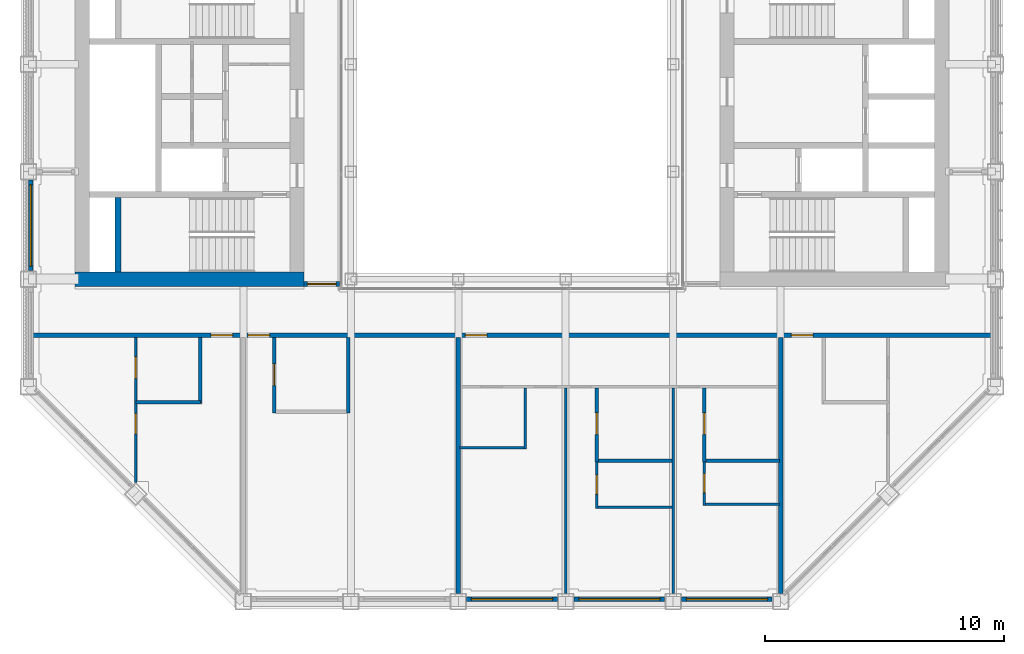
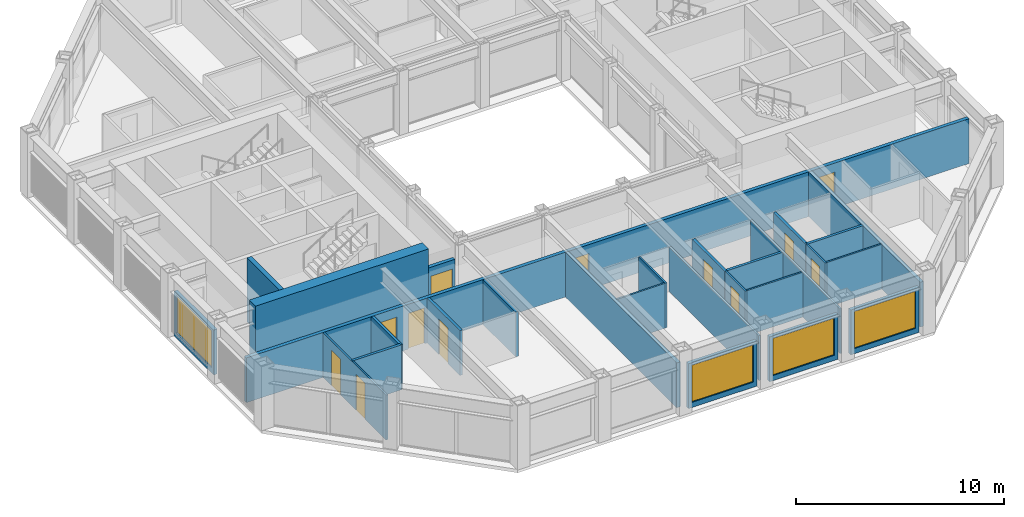
# One storey, part 9 of 17: 27 walls, 12 doors, 4 windows, 16 openings.
"""IFC4 building model written with IfcOpenShell, lengths in metres."""

from ifc_helpers import new_model, si_unit, direction, frame, frame_2d, origin, place, context, subcontext, project, spatial, rectangle, extrude, material, layer, layer_set, type_object, element, fill, save


model = new_model("IFC4")

# Units and contexts
model_context = context("Model", 3, precision=1e-05, world=origin(), true_north=direction((0.0, 1.0)))
body_context = subcontext(model_context, "Body", "Model", "MODEL_VIEW")
ifc_project = project(units=[si_unit("LENGTHUNIT", "METRE"), si_unit("AREAUNIT", "SQUARE_METRE"), si_unit("VOLUMEUNIT", "CUBIC_METRE"), si_unit("PLANEANGLEUNIT", "RADIAN"), si_unit("MASSUNIT", "GRAM", prefix="KILO")], contexts=[model_context])

# Site, building, storey
site_placement = place(None, origin())
site = spatial("IfcSite", under=ifc_project, at=site_placement, CompositionType="ELEMENT")
building_placement = place(site_placement, origin())
building = spatial("IfcBuilding", under=site, at=building_placement, Name="Msasa Ring Tower", CompositionType="ELEMENT")
storey_placement = place(building_placement, frame((0.0, 0.0, 242.050048828125)))
storey = spatial("IfcBuildingStorey", under=building, at=storey_placement, Name="L63", CompositionType="ELEMENT", Elevation=242.050048828125)

# Walls
ifc_material_1 = material(Name="Concrete C60/75", Category="concrete")
ifc_layer_1 = layer(ifc_material_1, 0.60009765625)
ifc_layer_set_1 = layer_set([ifc_layer_1], Name="CW3 CORE WALL 600")
wall_type_1 = type_object("IfcWallType", Name="CW3 CORE WALL 600", PredefinedType="SHEAR", material=ifc_layer_set_1)
wall_1_placement = place(storey_placement, frame((-8.699951171875, -6.75, 0.0), z_axis=(0.0, 0.0, 1.0), x_axis=(-1.0, 0.0, 0.0)))
element("IfcWall", 1, at=wall_1_placement, inside=storey, type_object=wall_type_1, Name="W core wall S L63", PredefinedType="SHEAR", context=body_context, shape_type="SweptSolid", body=[
    extrude(rectangle(XDim=9.60009765625, YDim=0.60009765625, at=frame_2d((4.800048828125, 0.0))), origin(), (0.0, 0.0, 1.0), 3.75),
])
ifc_material_2 = material(Name="Concrete C60/75", Category="concrete")
ifc_layer_2 = layer(ifc_material_2, 0.25)
ifc_layer_set_2 = layer_set([ifc_layer_2], Name="CW4 CORE INNER WALL 250")
wall_type_2 = type_object("IfcWallType", Name="CW4 CORE INNER WALL 250", PredefinedType="SHEAR", material=ifc_layer_set_2)
wall_2_placement = place(storey_placement, frame((-16.5, -6.449951171875, 0.0), z_axis=(0.0, 0.0, 1.0), x_axis=(0.0, 1.0, 0.0)))
element("IfcWall", 2, at=wall_2_placement, inside=storey, type_object=wall_type_2, Name="W core wall RISERA L63", PredefinedType="SHEAR", context=body_context, shape_type="SweptSolid", body=[
    extrude(rectangle(XDim=3.125, YDim=0.25, at=frame_2d((1.5625, 0.0))), origin(), (0.0, 0.0, 1.0), 3.75),
])

# Wall, opening, window
ifc_material_3 = material(Name="Terracotta rainscreen on blockwork", Category="masonry")
ifc_layer_3 = layer(ifc_material_3, 0.199951171875)
ifc_layer_set_3 = layer_set([ifc_layer_3], Name="FW1 TERRACOTTA-LINED INFILL BAY WALL 200")
wall_type_3 = type_object("IfcWallType", Name="FW1 TERRACOTTA-LINED INFILL BAY WALL 200", PredefinedType="SOLIDWALL", material=ifc_layer_set_3)
wall_3_placement = place(storey_placement, frame((-1.89501953125, -20.14990234375, 0.0), z_axis=(0.0, 0.0, 1.0), x_axis=(1.0, 0.0, 0.0)))
wall_3 = element("IfcWall", 3, at=wall_3_placement, inside=storey, type_object=wall_type_3, Name="Infill bay wall S L63 02", PredefinedType="SOLIDWALL", context=body_context, shape_type="SweptSolid", body=[
    extrude(rectangle(XDim=3.7900390625, YDim=0.199951171875, at=frame_2d((1.89501953125, 0.0))), origin(), (0.0, 0.0, 1.0), 2.62890625),
])
opening_1_placement = place(wall_3_placement, frame((0.195068359375, 0.0, 0.300048828125)))
opening_1 = element("IfcOpeningElement", 4, at=opening_1_placement, cuts=wall_3, Name="Opening WN3", PredefinedType="OPENING", context=body_context, shape_type="SweptSolid", body=[
    extrude(rectangle(XDim=3.39990234375, YDim=2.178955078125, at=frame_2d((1.699951171875, 1.08935546875))), frame((0.0, 0.10986328125, 0.0), z_axis=(0.0, -1.0, 0.0), x_axis=(1.0, 0.0, 0.0)), (0.0, 0.0, 1.0), 0.219970703125),
])
ifc_material_4 = material(Name="Aluminium frame with clear glass", Category="aluminium")
window_type = type_object("IfcWindowType", Name="WN3 SUITE WINDOW 3400x2179", PartitioningType="SINGLE_PANEL", PredefinedType="WINDOW", material=ifc_material_4)
window_1_placement = place(opening_1_placement, origin())
window_1 = element("IfcWindow", 5, at=window_1_placement, inside=storey, type_object=window_type, Name="Window S L63 02", OverallHeight=2.178955078125, OverallWidth=3.39990234375, PartitioningType="SINGLE_PANEL", PredefinedType="WINDOW", context=body_context, shape_type="SweptSolid", body=[
    extrude(rectangle(XDim=3.39990234375, YDim=2.178955078125, at=frame_2d((1.699951171875, 1.08935546875))), frame((0.0, 0.030029296875, 0.0), z_axis=(0.0, -1.0, 0.0), x_axis=(1.0, 0.0, 0.0)), (0.0, 0.0, 1.0), 0.06005859375),
])
fill(opening_1, window_1)

wall_4_placement = place(storey_placement, frame((2.60498046875, -20.14990234375, 0.0), z_axis=(0.0, 0.0, 1.0), x_axis=(1.0, 0.0, 0.0)))
wall_4 = element("IfcWall", 6, at=wall_4_placement, inside=storey, type_object=wall_type_3, Name="Infill bay wall S L63 03", PredefinedType="SOLIDWALL", context=body_context, shape_type="SweptSolid", body=[
    extrude(rectangle(XDim=3.7900390625, YDim=0.199951171875, at=frame_2d((1.89501953125, 0.0))), origin(), (0.0, 0.0, 1.0), 2.62890625),
])
opening_2_placement = place(wall_4_placement, frame((0.195068359375, 0.0, 0.300048828125)))
opening_2 = element("IfcOpeningElement", 7, at=opening_2_placement, cuts=wall_4, Name="Opening WN3", PredefinedType="OPENING", context=body_context, shape_type="SweptSolid", body=[
    extrude(rectangle(XDim=3.39990234375, YDim=2.178955078125, at=frame_2d((1.699951171875, 1.08935546875))), frame((0.0, 0.10986328125, 0.0), z_axis=(0.0, -1.0, 0.0), x_axis=(1.0, 0.0, 0.0)), (0.0, 0.0, 1.0), 0.219970703125),
])
window_2_placement = place(opening_2_placement, origin())
window_2 = element("IfcWindow", 8, at=window_2_placement, inside=storey, type_object=window_type, Name="Window S L63 03", OverallHeight=2.178955078125, OverallWidth=3.39990234375, PartitioningType="SINGLE_PANEL", PredefinedType="WINDOW", context=body_context, shape_type="SweptSolid", body=[
    extrude(rectangle(XDim=3.39990234375, YDim=2.178955078125, at=frame_2d((1.699951171875, 1.08935546875))), frame((0.0, 0.030029296875, 0.0), z_axis=(0.0, -1.0, 0.0), x_axis=(1.0, 0.0, 0.0)), (0.0, 0.0, 1.0), 0.06005859375),
])
fill(opening_2, window_2)

wall_5_placement = place(storey_placement, frame((7.10498046875, -20.14990234375, 0.0), z_axis=(0.0, 0.0, 1.0), x_axis=(1.0, 0.0, 0.0)))
wall_5 = element("IfcWall", 9, at=wall_5_placement, inside=storey, type_object=wall_type_3, Name="Infill bay wall S L63 04", PredefinedType="SOLIDWALL", context=body_context, shape_type="SweptSolid", body=[
    extrude(rectangle(XDim=3.7900390625, YDim=0.199951171875, at=frame_2d((1.89501953125, 0.0))), origin(), (0.0, 0.0, 1.0), 2.62890625),
])
opening_3_placement = place(wall_5_placement, frame((0.195068359375, 0.0, 0.300048828125)))
opening_3 = element("IfcOpeningElement", 10, at=opening_3_placement, cuts=wall_5, Name="Opening WN3", PredefinedType="OPENING", context=body_context, shape_type="SweptSolid", body=[
    extrude(rectangle(XDim=3.39990234375, YDim=2.178955078125, at=frame_2d((1.699951171875, 1.08935546875))), frame((0.0, 0.10986328125, 0.0), z_axis=(0.0, -1.0, 0.0), x_axis=(1.0, 0.0, 0.0)), (0.0, 0.0, 1.0), 0.219970703125),
])
window_3_placement = place(opening_3_placement, origin())
window_3 = element("IfcWindow", 11, at=window_3_placement, inside=storey, type_object=window_type, Name="Window S L63 04", OverallHeight=2.178955078125, OverallWidth=3.39990234375, PartitioningType="SINGLE_PANEL", PredefinedType="WINDOW", context=body_context, shape_type="SweptSolid", body=[
    extrude(rectangle(XDim=3.39990234375, YDim=2.178955078125, at=frame_2d((1.699951171875, 1.08935546875))), frame((0.0, 0.030029296875, 0.0), z_axis=(0.0, -1.0, 0.0), x_axis=(1.0, 0.0, 0.0)), (0.0, 0.0, 1.0), 0.06005859375),
])
fill(opening_3, window_3)

wall_6_placement = place(storey_placement, frame((-20.14990234375, -6.39501953125, 0.0), z_axis=(0.0, 0.0, 1.0), x_axis=(0.0, 1.0, 0.0)))
wall_6 = element("IfcWall", 12, at=wall_6_placement, inside=storey, type_object=wall_type_3, Name="Infill bay wall W L63 22", PredefinedType="SOLIDWALL", context=body_context, shape_type="SweptSolid", body=[
    extrude(rectangle(XDim=3.7900390625, YDim=0.199951171875, at=frame_2d((1.89501953125, 0.0))), origin(), (0.0, 0.0, 1.0), 2.62890625),
])
opening_4_placement = place(wall_6_placement, frame((0.195068359375, 0.0, 0.300048828125)))
opening_4 = element("IfcOpeningElement", 13, at=opening_4_placement, cuts=wall_6, Name="Opening WN3", PredefinedType="OPENING", context=body_context, shape_type="SweptSolid", body=[
    extrude(rectangle(XDim=3.39990234375, YDim=2.178955078125, at=frame_2d((1.699951171875, 1.08935546875))), frame((0.0, 0.10986328125, 0.0), z_axis=(0.0, -1.0, 0.0), x_axis=(1.0, 0.0, 0.0)), (0.0, 0.0, 1.0), 0.219970703125),
])
window_4_placement = place(opening_4_placement, origin())
window_4 = element("IfcWindow", 14, at=window_4_placement, inside=storey, type_object=window_type, Name="Window W L63 22", OverallHeight=2.178955078125, OverallWidth=3.39990234375, PartitioningType="SINGLE_PANEL", PredefinedType="WINDOW", context=body_context, shape_type="SweptSolid", body=[
    extrude(rectangle(XDim=3.39990234375, YDim=2.178955078125, at=frame_2d((1.699951171875, 1.08935546875))), frame((0.0, 0.030029296875, 0.0), z_axis=(0.0, -1.0, 0.0), x_axis=(1.0, 0.0, 0.0)), (0.0, 0.0, 1.0), 0.06005859375),
])
fill(opening_4, window_4)

# Wall, opening, door
ifc_material_5 = material(Name="Concrete blockwork", Category="masonry")
ifc_layer_4 = layer(ifc_material_5, 0.199951171875)
ifc_layer_set_4 = layer_set([ifc_layer_4], Name="PT1 CORRIDOR WALL 200")
wall_type_4 = type_object("IfcWallType", Name="PT1 CORRIDOR WALL 200", PredefinedType="PARTITIONING", material=ifc_layer_set_4)
wall_7_placement = place(storey_placement, frame((-8.699951171875, -6.949951171875, 0.0), z_axis=(0.0, 0.0, 1.0), x_axis=(1.0, 0.0, 0.0)))
wall_7 = element("IfcWall", 15, at=wall_7_placement, inside=storey, type_object=wall_type_4, Name="Corridor wall L63-SDWS", PredefinedType="PARTITIONING", context=body_context, shape_type="SweptSolid", body=[
    extrude(rectangle(XDim=1.469970703125, YDim=0.199951171875, at=frame_2d((0.73486328125, 0.0))), origin(), (0.0, 0.0, 1.0), 2.62890625),
])
opening_5_placement = place(wall_7_placement, frame((0.135009765625, 0.0, 0.0)))
opening_5 = element("IfcOpeningElement", 16, at=opening_5_placement, cuts=wall_7, Name="Opening SD-035", PredefinedType="OPENING", context=body_context, shape_type="SweptSolid", body=[
    extrude(rectangle(XDim=1.199951171875, YDim=2.10009765625, at=frame_2d((0.60009765625, 1.050048828125))), frame((0.0, 0.10986328125, 0.0), z_axis=(0.0, -1.0, 0.0), x_axis=(1.0, 0.0, 0.0)), (0.0, 0.0, 1.0), 0.219970703125),
])
ifc_material_6 = material(Name="Timber door leaf in a steel frame", Category="steel")
door_type_1 = type_object("IfcDoorType", Name="D25 CORRIDOR PAIR OF SMOKE DOORS 1200x2100", OperationType="DOUBLE_DOOR_DOUBLE_SWING", PredefinedType="DOOR", material=ifc_material_6)
door_1_placement = place(opening_5_placement, origin())
door_1 = element("IfcDoor", 17, at=door_1_placement, inside=storey, type_object=door_type_1, Name="Door L63-SDWS", OperationType="DOUBLE_DOOR_DOUBLE_SWING", OverallHeight=2.10009765625, OverallWidth=1.199951171875, PredefinedType="DOOR", context=body_context, shape_type="SweptSolid", body=[
    extrude(rectangle(XDim=1.199951171875, YDim=2.10009765625, at=frame_2d((0.60009765625, 1.050048828125))), frame((0.0, 0.02490234375, 0.0), z_axis=(0.0, -1.0, 0.0), x_axis=(1.0, 0.0, 0.0)), (0.0, 0.0, 1.0), 0.050048828125),
])
fill(opening_5, door_1)

# Wall, openings, doors
wall_8_placement = place(storey_placement, frame((-20.050048828125, -9.10009765625, 0.0), z_axis=(0.0, 0.0, 1.0), x_axis=(1.0, 0.0, 0.0)))
wall_8 = element("IfcWall", 18, at=wall_8_placement, inside=storey, type_object=wall_type_4, Name="Corridor wall L63-CORRS0", PredefinedType="PARTITIONING", context=body_context, shape_type="SweptSolid", body=[
    extrude(rectangle(XDim=40.10009765625, YDim=0.199951171875, at=frame_2d((20.050048828125, 0.0))), origin(), (0.0, 0.0, 1.0), 2.62890625),
])
opening_6_placement = place(wall_8_placement, frame((9.0, 0.0, 0.0)))
opening_6 = element("IfcOpeningElement", 19, at=opening_6_placement, cuts=wall_8, Name="Opening SD-038", PredefinedType="OPENING", context=body_context, shape_type="SweptSolid", body=[
    extrude(rectangle(XDim=0.89990234375, YDim=2.10009765625, at=frame_2d((0.449951171875, 1.050048828125))), frame((0.0, 0.10986328125, 0.0), z_axis=(0.0, -1.0, 0.0), x_axis=(1.0, 0.0, 0.0)), (0.0, 0.0, 1.0), 0.219970703125),
])
opening_7_placement = place(wall_8_placement, frame((18.10009765625, 0.0, 0.0)))
opening_7 = element("IfcOpeningElement", 20, at=opening_7_placement, cuts=wall_8, Name="Opening SD-039", PredefinedType="OPENING", context=body_context, shape_type="SweptSolid", body=[
    extrude(rectangle(XDim=0.89990234375, YDim=2.10009765625, at=frame_2d((0.449951171875, 1.050048828125))), frame((0.0, 0.10986328125, 0.0), z_axis=(0.0, -1.0, 0.0), x_axis=(1.0, 0.0, 0.0)), (0.0, 0.0, 1.0), 0.219970703125),
])
opening_8_placement = place(wall_8_placement, frame((31.75, 0.0, 0.0)))
opening_8 = element("IfcOpeningElement", 21, at=opening_8_placement, cuts=wall_8, Name="Opening SD-040", PredefinedType="OPENING", context=body_context, shape_type="SweptSolid", body=[
    extrude(rectangle(XDim=0.89990234375, YDim=2.10009765625, at=frame_2d((0.449951171875, 1.050048828125))), frame((0.0, 0.10986328125, 0.0), z_axis=(0.0, -1.0, 0.0), x_axis=(1.0, 0.0, 0.0)), (0.0, 0.0, 1.0), 0.219970703125),
])
opening_9_placement = place(wall_8_placement, frame((7.449951171875, 0.0, 0.0)))
opening_9 = element("IfcOpeningElement", 22, at=opening_9_placement, cuts=wall_8, Name="Opening SD-037", PredefinedType="OPENING", context=body_context, shape_type="SweptSolid", body=[
    extrude(rectangle(XDim=0.89990234375, YDim=2.10009765625, at=frame_2d((0.449951171875, 1.050048828125))), frame((0.0, 0.10986328125, 0.0), z_axis=(0.0, -1.0, 0.0), x_axis=(1.0, 0.0, 0.0)), (0.0, 0.0, 1.0), 0.219970703125),
])
ifc_material_7 = material(Name="Timber door leaf in a steel frame", Category="steel")
door_type_2 = type_object("IfcDoorType", Name="D1 SINGLE DOOR TO CORRIDOR 900x2100", OperationType="SINGLE_SWING_LEFT", PredefinedType="DOOR", material=ifc_material_7)
door_2_placement = place(opening_6_placement, origin())
door_2 = element("IfcDoor", 23, at=door_2_placement, inside=storey, type_object=door_type_2, Name="Door L63-JS00", OperationType="SINGLE_SWING_LEFT", OverallHeight=2.10009765625, OverallWidth=0.89990234375, PredefinedType="DOOR", context=body_context, shape_type="SweptSolid", body=[
    extrude(rectangle(XDim=0.89990234375, YDim=2.10009765625, at=frame_2d((0.449951171875, 1.050048828125))), frame((0.0, 0.02490234375, 0.0), z_axis=(0.0, -1.0, 0.0), x_axis=(1.0, 0.0, 0.0)), (0.0, 0.0, 1.0), 0.050048828125),
])
fill(opening_6, door_2)
ifc_material_8 = material(Name="Timber door leaf in a steel frame", Category="steel")
door_type_3 = type_object("IfcDoorType", Name="D2 ENTRANCE DOOR 900x2100", OperationType="SINGLE_SWING_LEFT", PredefinedType="DOOR", material=ifc_material_8)
door_3_placement = place(opening_7_placement, origin())
door_3 = element("IfcDoor", 24, at=door_3_placement, inside=storey, type_object=door_type_3, Name="Door L63-JS01", OperationType="SINGLE_SWING_LEFT", OverallHeight=2.10009765625, OverallWidth=0.89990234375, PredefinedType="DOOR", context=body_context, shape_type="SweptSolid", body=[
    extrude(rectangle(XDim=0.89990234375, YDim=2.10009765625, at=frame_2d((0.449951171875, 1.050048828125))), frame((0.0, 0.02490234375, 0.0), z_axis=(0.0, -1.0, 0.0), x_axis=(1.0, 0.0, 0.0)), (0.0, 0.0, 1.0), 0.050048828125),
])
fill(opening_7, door_3)
door_4_placement = place(opening_8_placement, origin())
door_4 = element("IfcDoor", 25, at=door_4_placement, inside=storey, type_object=door_type_3, Name="Door L63-CSSE", OperationType="SINGLE_SWING_RIGHT", OverallHeight=2.10009765625, OverallWidth=0.89990234375, PredefinedType="DOOR", context=body_context, shape_type="SweptSolid", body=[
    extrude(rectangle(XDim=0.89990234375, YDim=2.10009765625, at=frame_2d((0.449951171875, 1.050048828125))), frame((0.0, 0.02490234375, 0.0), z_axis=(0.0, -1.0, 0.0), x_axis=(1.0, 0.0, 0.0)), (0.0, 0.0, 1.0), 0.050048828125),
])
fill(opening_8, door_4)
door_5_placement = place(opening_9_placement, origin())
door_5 = element("IfcDoor", 26, at=door_5_placement, inside=storey, type_object=door_type_3, Name="Door L63-CSSW", OperationType="SINGLE_SWING_LEFT", OverallHeight=2.10009765625, OverallWidth=0.89990234375, PredefinedType="DOOR", context=body_context, shape_type="SweptSolid", body=[
    extrude(rectangle(XDim=0.89990234375, YDim=2.10009765625, at=frame_2d((0.449951171875, 1.050048828125))), frame((0.0, 0.02490234375, 0.0), z_axis=(0.0, -1.0, 0.0), x_axis=(1.0, 0.0, 0.0)), (0.0, 0.0, 1.0), 0.050048828125),
])
fill(opening_9, door_5)

# Walls
ifc_material_9 = material(Name="Gypsum board on steel studs", Category="steel")
ifc_layer_5 = layer(ifc_material_9, 0.10009765625)
ifc_layer_set_5 = layer_set([ifc_layer_5], Name="PT2 STUD PARTITION 100")
wall_type_5 = type_object("IfcWallType", Name="PT2 STUD PARTITION 100", PredefinedType="PARTITIONING", material=ifc_layer_set_5)
wall_9_placement = place(storey_placement, frame((0.550048828125, -13.85009765625, 0.0), z_axis=(0.0, 0.0, 1.0), x_axis=(0.0, 1.0, 0.0)))
element("IfcWall", 27, at=wall_9_placement, inside=storey, type_object=wall_type_5, Name="Partition L63-JS01KX", PredefinedType="PARTITIONING", context=body_context, shape_type="SweptSolid", body=[
    extrude(rectangle(XDim=2.550048828125, YDim=0.10009765625, at=frame_2d((1.27490234375, 0.0))), origin(), (0.0, 0.0, 1.0), 2.62890625),
])
wall_10_placement = place(storey_placement, frame((-2.18994140625, -13.800048828125, 0.0), z_axis=(0.0, 0.0, 1.0), x_axis=(1.0, 0.0, 0.0)))
element("IfcWall", 28, at=wall_10_placement, inside=storey, type_object=wall_type_5, Name="Partition L63-JS01KY", PredefinedType="PARTITIONING", context=body_context, shape_type="SweptSolid", body=[
    extrude(rectangle(XDim=2.739990234375, YDim=0.10009765625, at=frame_2d((1.3701171875, 0.0))), origin(), (0.0, 0.0, 1.0), 2.62890625),
])
wall_11_placement = place(storey_placement, frame((2.25, -19.89990234375, 0.0), z_axis=(0.0, 0.0, 1.0), x_axis=(0.0, 1.0, 0.0)))
element("IfcWall", 29, at=wall_11_placement, inside=storey, type_object=wall_type_5, Name="Partition L63-JS01P1", PredefinedType="PARTITIONING", context=body_context, shape_type="SweptSolid", body=[
    extrude(rectangle(XDim=8.599853515625, YDim=0.10009765625, at=frame_2d((4.2998046875, 0.0))), origin(), (0.0, 0.0, 1.0), 2.62890625),
])

# Wall, opening, door
wall_12_placement = place(storey_placement, frame((3.550048828125, -16.35009765625, 0.0), z_axis=(0.0, 0.0, 1.0), x_axis=(0.0, 1.0, 0.0)))
wall_12 = element("IfcWall", 30, at=wall_12_placement, inside=storey, type_object=wall_type_5, Name="Partition L63-JS01WX1", PredefinedType="PARTITIONING", context=body_context, shape_type="SweptSolid", body=[
    extrude(rectangle(XDim=1.9501953125, YDim=0.10009765625, at=frame_2d((0.97509765625, 0.0))), origin(), (0.0, 0.0, 1.0), 2.62890625),
])
opening_10_placement = place(wall_12_placement, frame((0.60009765625, 0.0, 0.0)))
opening_10 = element("IfcOpeningElement", 31, at=opening_10_placement, cuts=wall_12, Name="Opening SD-053", PredefinedType="OPENING", context=body_context, shape_type="SweptSolid", body=[
    extrude(rectangle(XDim=0.800048828125, YDim=2.10009765625, at=frame_2d((0.39990234375, 1.050048828125))), frame((0.0, 0.06005859375, 0.0), z_axis=(0.0, -1.0, 0.0), x_axis=(1.0, 0.0, 0.0)), (0.0, 0.0, 1.0), 0.1201171875),
])
ifc_material_10 = material(Name="Timber door leaf in a steel frame", Category="steel")
door_type_4 = type_object("IfcDoorType", Name="D60 DRESSING ROOM DOOR 800x2100", OperationType="SINGLE_SWING_LEFT", PredefinedType="DOOR", material=ifc_material_10)
door_6_placement = place(opening_10_placement, origin())
door_6 = element("IfcDoor", 32, at=door_6_placement, inside=storey, type_object=door_type_4, Name="Door L63-JS01W1", OperationType="SINGLE_SWING_LEFT", OverallHeight=2.10009765625, OverallWidth=0.800048828125, PredefinedType="DOOR", context=body_context, shape_type="SweptSolid", body=[
    extrude(rectangle(XDim=0.800048828125, YDim=2.10009765625, at=frame_2d((0.39990234375, 1.050048828125))), frame((0.0, 0.02490234375, 0.0), z_axis=(0.0, -1.0, 0.0), x_axis=(1.0, 0.0, 0.0)), (0.0, 0.0, 1.0), 0.050048828125),
])
fill(opening_10, door_6)

# Walls
wall_13_placement = place(storey_placement, frame((3.550048828125, -16.300048828125, 0.0), z_axis=(0.0, 0.0, 1.0), x_axis=(1.0, 0.0, 0.0)))
element("IfcWall", 33, at=wall_13_placement, inside=storey, type_object=wall_type_5, Name="Partition L63-JS01WY1", PredefinedType="PARTITIONING", context=body_context, shape_type="SweptSolid", body=[
    extrude(rectangle(XDim=3.14990234375, YDim=0.10009765625, at=frame_2d((1.574951171875, 0.0))), origin(), (0.0, 0.0, 1.0), 2.62890625),
])
wall_14_placement = place(storey_placement, frame((6.75, -19.89990234375, 0.0), z_axis=(0.0, 0.0, 1.0), x_axis=(0.0, 1.0, 0.0)))
element("IfcWall", 34, at=wall_14_placement, inside=storey, type_object=wall_type_5, Name="Partition L63-JS01P2", PredefinedType="PARTITIONING", context=body_context, shape_type="SweptSolid", body=[
    extrude(rectangle(XDim=8.599853515625, YDim=0.10009765625, at=frame_2d((4.2998046875, 0.0))), origin(), (0.0, 0.0, 1.0), 2.62890625),
])

# Wall, opening, door
wall_15_placement = place(storey_placement, frame((8.050048828125, -16.2236328125, 0.0), z_axis=(0.0, 0.0, 1.0), x_axis=(0.0, 1.0, 0.0)))
wall_15 = element("IfcWall", 35, at=wall_15_placement, inside=storey, type_object=wall_type_5, Name="Partition L63-JS01WX2", PredefinedType="PARTITIONING", context=body_context, shape_type="SweptSolid", body=[
    extrude(rectangle(XDim=1.82373046875, YDim=0.10009765625, at=frame_2d((0.911865234375, 0.0))), origin(), (0.0, 0.0, 1.0), 2.62890625),
])
opening_11_placement = place(wall_15_placement, frame((0.536865234375, 0.0, 0.0)))
opening_11 = element("IfcOpeningElement", 36, at=opening_11_placement, cuts=wall_15, Name="Opening SD-052", PredefinedType="OPENING", context=body_context, shape_type="SweptSolid", body=[
    extrude(rectangle(XDim=0.800048828125, YDim=2.10009765625, at=frame_2d((0.39990234375, 1.050048828125))), frame((0.0, 0.06005859375, 0.0), z_axis=(0.0, -1.0, 0.0), x_axis=(1.0, 0.0, 0.0)), (0.0, 0.0, 1.0), 0.1201171875),
])
door_7_placement = place(opening_11_placement, origin())
door_7 = element("IfcDoor", 37, at=door_7_placement, inside=storey, type_object=door_type_4, Name="Door L63-JS01W2", OperationType="SINGLE_SWING_LEFT", OverallHeight=2.10009765625, OverallWidth=0.800048828125, PredefinedType="DOOR", context=body_context, shape_type="SweptSolid", body=[
    extrude(rectangle(XDim=0.800048828125, YDim=2.10009765625, at=frame_2d((0.39990234375, 1.050048828125))), frame((0.0, 0.02490234375, 0.0), z_axis=(0.0, -1.0, 0.0), x_axis=(1.0, 0.0, 0.0)), (0.0, 0.0, 1.0), 0.050048828125),
])
fill(opening_11, door_7)

# Wall
wall_16_placement = place(storey_placement, frame((8.050048828125, -16.173583984375, 0.0), z_axis=(0.0, 0.0, 1.0), x_axis=(1.0, 0.0, 0.0)))
element("IfcWall", 38, at=wall_16_placement, inside=storey, type_object=wall_type_5, Name="Partition L63-JS01WY2", PredefinedType="PARTITIONING", context=body_context, shape_type="SweptSolid", body=[
    extrude(rectangle(XDim=3.139892578125, YDim=0.10009765625, at=frame_2d((1.56982421875, 0.0))), origin(), (0.0, 0.0, 1.0), 2.62890625),
])

# Wall, openings, doors
wall_17_placement = place(storey_placement, frame((-15.75, -15.2548828125, 0.0), z_axis=(0.0, 0.0, 1.0), x_axis=(0.0, 1.0, 0.0)))
wall_17 = element("IfcWall", 39, at=wall_17_placement, inside=storey, type_object=wall_type_5, Name="Partition L63-CSSWP1", PredefinedType="PARTITIONING", context=body_context, shape_type="SweptSolid", body=[
    extrude(rectangle(XDim=6.054931640625, YDim=0.10009765625, at=frame_2d((3.02734375, 0.0))), origin(), (0.0, 0.0, 1.0), 2.62890625),
])
opening_12_placement = place(wall_17_placement, frame((2.030029296875, 0.0, 0.0)))
opening_12 = element("IfcOpeningElement", 40, at=opening_12_placement, cuts=wall_17, Name="Opening SD-048", PredefinedType="OPENING", context=body_context, shape_type="SweptSolid", body=[
    extrude(rectangle(XDim=0.85009765625, YDim=2.10009765625, at=frame_2d((0.425048828125, 1.050048828125))), frame((0.0, 0.06005859375, 0.0), z_axis=(0.0, -1.0, 0.0), x_axis=(1.0, 0.0, 0.0)), (0.0, 0.0, 1.0), 0.1201171875),
])
opening_13_placement = place(wall_17_placement, frame((4.35498046875, 0.0, 0.0)))
opening_13 = element("IfcOpeningElement", 41, at=opening_13_placement, cuts=wall_17, Name="Opening SD-041", PredefinedType="OPENING", context=body_context, shape_type="SweptSolid", body=[
    extrude(rectangle(XDim=0.89990234375, YDim=2.10009765625, at=frame_2d((0.449951171875, 1.050048828125))), frame((0.0, 0.06005859375, 0.0), z_axis=(0.0, -1.0, 0.0), x_axis=(1.0, 0.0, 0.0)), (0.0, 0.0, 1.0), 0.1201171875),
])
ifc_material_11 = material(Name="Timber door leaf in a steel frame", Category="steel")
door_type_5 = type_object("IfcDoorType", Name="D14 BEDROOM DOOR 850x2100", OperationType="SINGLE_SWING_LEFT", PredefinedType="DOOR", material=ifc_material_11)
door_8_placement = place(opening_12_placement, origin())
door_8 = element("IfcDoor", 42, at=door_8_placement, inside=storey, type_object=door_type_5, Name="Door L63-CSSWR1", OperationType="SINGLE_SWING_LEFT", OverallHeight=2.10009765625, OverallWidth=0.85009765625, PredefinedType="DOOR", context=body_context, shape_type="SweptSolid", body=[
    extrude(rectangle(XDim=0.85009765625, YDim=2.10009765625, at=frame_2d((0.425048828125, 1.050048828125))), frame((0.0, 0.02490234375, 0.0), z_axis=(0.0, -1.0, 0.0), x_axis=(1.0, 0.0, 0.0)), (0.0, 0.0, 1.0), 0.050048828125),
])
fill(opening_12, door_8)
ifc_material_12 = material(Name="Timber door leaf in a steel frame", Category="steel")
door_type_6 = type_object("IfcDoorType", Name="D3 BATHROOM DOOR 900x2100", OperationType="SINGLE_SWING_LEFT", PredefinedType="DOOR", material=ifc_material_12)
door_9_placement = place(opening_13_placement, origin())
door_9 = element("IfcDoor", 43, at=door_9_placement, inside=storey, type_object=door_type_6, Name="Door L63-CSSWB1", OperationType="SINGLE_SWING_RIGHT", OverallHeight=2.10009765625, OverallWidth=0.89990234375, PredefinedType="DOOR", context=body_context, shape_type="SweptSolid", body=[
    extrude(rectangle(XDim=0.89990234375, YDim=2.10009765625, at=frame_2d((0.449951171875, 1.050048828125))), frame((0.0, 0.02490234375, 0.0), z_axis=(0.0, -1.0, 0.0), x_axis=(1.0, 0.0, 0.0)), (0.0, 0.0, 1.0), 0.050048828125),
])
fill(opening_13, door_9)

# Walls
ifc_material_13 = material(Name="Dense concrete blockwork, plastered both faces", Category="masonry")
ifc_layer_6 = layer(ifc_material_13, 0.25)
ifc_layer_set_6 = layer_set([ifc_layer_6], Name="PT3 APARTMENT SEPARATING WALL 250")
wall_type_6 = type_object("IfcWallType", Name="PT3 APARTMENT SEPARATING WALL 250", PredefinedType="PARTITIONING", material=ifc_layer_set_6)
for number, where, z_axis, x_axis, name in (
    (44, (-2.25, -19.89990234375, 0.0), (0.0, 0.0, 1.0), (0.0, 1.0, 0.0), "Party wall L63-PWS-2.25"),
    (45, (11.25, -19.89990234375, 0.0), (0.0, 0.0, 1.0), (0.0, 1.0, 0.0), "Party wall L63-PWS+11.25"),
):
    element("IfcWall", number, at=place(storey_placement, frame(where, z_axis=z_axis, x_axis=x_axis)), inside=storey, type_object=wall_type_6, Name=name, PredefinedType="PARTITIONING", context=body_context, shape_type="SweptSolid", body=[
        extrude(rectangle(XDim=10.699951171875, YDim=0.199951171875, at=frame_2d((5.35009765625, 0.0))), origin(), (0.0, 0.0, 1.0), 2.62890625),
    ])

# Wall, opening, door
ifc_material_14 = material(Name="Moisture-resistant board on steel studs with a concealed cistern and pipe void, tiled", Category="steel")
ifc_layer_7 = layer(ifc_material_14, 0.14990234375)
ifc_layer_set_7 = layer_set([ifc_layer_7], Name="PT4 BATHROOM WET WALL 150")
wall_type_7 = type_object("IfcWallType", Name="PT4 BATHROOM WET WALL 150", PredefinedType="PARTITIONING", material=ifc_layer_set_7)
wall_18_placement = place(storey_placement, frame((-9.949951171875, -12.35009765625, 0.0), z_axis=(0.0, 0.0, 1.0), x_axis=(0.0, 1.0, 0.0)))
wall_18 = element("IfcWall", 46, at=wall_18_placement, inside=storey, type_object=wall_type_7, Name="Partition L63-JS00BX", PredefinedType="PARTITIONING", context=body_context, shape_type="SweptSolid", body=[
    extrude(rectangle(XDim=3.150146484375, YDim=0.14990234375, at=frame_2d((1.5751953125, 0.0))), origin(), (0.0, 0.0, 1.0), 2.62890625),
])
opening_14_placement = place(wall_18_placement, frame((1.14990234375, 0.0, 0.0)))
opening_14 = element("IfcOpeningElement", 47, at=opening_14_placement, cuts=wall_18, Name="Opening SD-043", PredefinedType="OPENING", context=body_context, shape_type="SweptSolid", body=[
    extrude(rectangle(XDim=0.89990234375, YDim=2.10009765625, at=frame_2d((0.449951171875, 1.050048828125))), frame((0.0, 0.0849609375, 0.0), z_axis=(0.0, -1.0, 0.0), x_axis=(1.0, 0.0, 0.0)), (0.0, 0.0, 1.0), 0.169921875),
])
door_10_placement = place(opening_14_placement, origin())
door_10 = element("IfcDoor", 48, at=door_10_placement, inside=storey, type_object=door_type_6, Name="Door L63-JS00B", OperationType="SINGLE_SWING_LEFT", OverallHeight=2.10009765625, OverallWidth=0.89990234375, PredefinedType="DOOR", context=body_context, shape_type="SweptSolid", body=[
    extrude(rectangle(XDim=0.89990234375, YDim=2.10009765625, at=frame_2d((0.449951171875, 1.050048828125))), frame((0.0, 0.02490234375, 0.0), z_axis=(0.0, -1.0, 0.0), x_axis=(1.0, 0.0, 0.0)), (0.0, 0.0, 1.0), 0.050048828125),
])
fill(opening_14, door_10)

# Wall
wall_19_placement = place(storey_placement, frame((-6.85009765625, -12.35009765625, 0.0), z_axis=(0.0, 0.0, 1.0), x_axis=(0.0, 1.0, 0.0)))
element("IfcWall", 49, at=wall_19_placement, inside=storey, type_object=wall_type_7, Name="Partition L63-JS00BF", PredefinedType="PARTITIONING", context=body_context, shape_type="SweptSolid", body=[
    extrude(rectangle(XDim=3.150146484375, YDim=0.14990234375, at=frame_2d((1.5751953125, 0.0))), origin(), (0.0, 0.0, 1.0), 2.62890625),
])

# Wall, opening, door
wall_20_placement = place(storey_placement, frame((3.550048828125, -14.39990234375, 0.0), z_axis=(0.0, 0.0, 1.0), x_axis=(0.0, 1.0, 0.0)))
wall_20 = element("IfcWall", 50, at=wall_20_placement, inside=storey, type_object=wall_type_7, Name="Partition L63-JS01BX1", PredefinedType="PARTITIONING", context=body_context, shape_type="SweptSolid", body=[
    extrude(rectangle(XDim=3.099853515625, YDim=0.14990234375, at=frame_2d((1.5498046875, 0.0))), origin(), (0.0, 0.0, 1.0), 2.62890625),
])
opening_15_placement = place(wall_20_placement, frame((1.14990234375, 0.0, 0.0)))
opening_15 = element("IfcOpeningElement", 51, at=opening_15_placement, cuts=wall_20, Name="Opening SD-049", PredefinedType="OPENING", context=body_context, shape_type="SweptSolid", body=[
    extrude(rectangle(XDim=0.89990234375, YDim=2.10009765625, at=frame_2d((0.449951171875, 1.050048828125))), frame((0.0, 0.0849609375, 0.0), z_axis=(0.0, -1.0, 0.0), x_axis=(1.0, 0.0, 0.0)), (0.0, 0.0, 1.0), 0.169921875),
])
door_11_placement = place(opening_15_placement, origin())
door_11 = element("IfcDoor", 52, at=door_11_placement, inside=storey, type_object=door_type_6, Name="Door L63-JS01B1", OperationType="SINGLE_SWING_RIGHT", OverallHeight=2.10009765625, OverallWidth=0.89990234375, PredefinedType="DOOR", context=body_context, shape_type="SweptSolid", body=[
    extrude(rectangle(XDim=0.89990234375, YDim=2.10009765625, at=frame_2d((0.449951171875, 1.050048828125))), frame((0.0, 0.02490234375, 0.0), z_axis=(0.0, -1.0, 0.0), x_axis=(1.0, 0.0, 0.0)), (0.0, 0.0, 1.0), 0.050048828125),
])
fill(opening_15, door_11)

# Wall
wall_21_placement = place(storey_placement, frame((3.550048828125, -14.35009765625, 0.0), z_axis=(0.0, 0.0, 1.0), x_axis=(1.0, 0.0, 0.0)))
element("IfcWall", 53, at=wall_21_placement, inside=storey, type_object=wall_type_7, Name="Partition L63-JS01BY1", PredefinedType="PARTITIONING", context=body_context, shape_type="SweptSolid", body=[
    extrude(rectangle(XDim=3.14990234375, YDim=0.14990234375, at=frame_2d((1.574951171875, 0.0))), origin(), (0.0, 0.0, 1.0), 2.62890625),
])

# Wall, opening, door
wall_22_placement = place(storey_placement, frame((8.050048828125, -14.39990234375, 0.0), z_axis=(0.0, 0.0, 1.0), x_axis=(0.0, 1.0, 0.0)))
wall_22 = element("IfcWall", 54, at=wall_22_placement, inside=storey, type_object=wall_type_7, Name="Partition L63-JS01BX2", PredefinedType="PARTITIONING", context=body_context, shape_type="SweptSolid", body=[
    extrude(rectangle(XDim=3.099853515625, YDim=0.14990234375, at=frame_2d((1.5498046875, 0.0))), origin(), (0.0, 0.0, 1.0), 2.62890625),
])
opening_16_placement = place(wall_22_placement, frame((1.14990234375, 0.0, 0.0)))
opening_16 = element("IfcOpeningElement", 55, at=opening_16_placement, cuts=wall_22, Name="Opening SD-050", PredefinedType="OPENING", context=body_context, shape_type="SweptSolid", body=[
    extrude(rectangle(XDim=0.89990234375, YDim=2.10009765625, at=frame_2d((0.449951171875, 1.050048828125))), frame((0.0, 0.0849609375, 0.0), z_axis=(0.0, -1.0, 0.0), x_axis=(1.0, 0.0, 0.0)), (0.0, 0.0, 1.0), 0.169921875),
])
door_12_placement = place(opening_16_placement, origin())
door_12 = element("IfcDoor", 56, at=door_12_placement, inside=storey, type_object=door_type_6, Name="Door L63-JS01B2", OperationType="SINGLE_SWING_RIGHT", OverallHeight=2.10009765625, OverallWidth=0.89990234375, PredefinedType="DOOR", context=body_context, shape_type="SweptSolid", body=[
    extrude(rectangle(XDim=0.89990234375, YDim=2.10009765625, at=frame_2d((0.449951171875, 1.050048828125))), frame((0.0, 0.02490234375, 0.0), z_axis=(0.0, -1.0, 0.0), x_axis=(1.0, 0.0, 0.0)), (0.0, 0.0, 1.0), 0.050048828125),
])
fill(opening_16, door_12)

# Walls
wall_23_placement = place(storey_placement, frame((8.050048828125, -14.35009765625, 0.0), z_axis=(0.0, 0.0, 1.0), x_axis=(1.0, 0.0, 0.0)))
element("IfcWall", 57, at=wall_23_placement, inside=storey, type_object=wall_type_7, Name="Partition L63-JS01BY2", PredefinedType="PARTITIONING", context=body_context, shape_type="SweptSolid", body=[
    extrude(rectangle(XDim=3.139892578125, YDim=0.14990234375, at=frame_2d((1.56982421875, 0.0))), origin(), (0.0, 0.0, 1.0), 2.62890625),
])
wall_24_placement = place(storey_placement, frame((-13.050048828125, -11.949951171875, 0.0), z_axis=(0.0, 0.0, 1.0), x_axis=(0.0, 1.0, 0.0)))
element("IfcWall", 58, at=wall_24_placement, inside=storey, type_object=wall_type_7, Name="Partition L63-CSSWBX", PredefinedType="PARTITIONING", context=body_context, shape_type="SweptSolid", body=[
    extrude(rectangle(XDim=2.75, YDim=0.14990234375, at=frame_2d((1.375, 0.0))), origin(), (0.0, 0.0, 1.0), 2.62890625),
])
wall_25_placement = place(storey_placement, frame((-15.75, -11.89990234375, 0.0), z_axis=(0.0, 0.0, 1.0), x_axis=(1.0, 0.0, 0.0)))
element("IfcWall", 59, at=wall_25_placement, inside=storey, type_object=wall_type_7, Name="Partition L63-CSSWBY", PredefinedType="PARTITIONING", context=body_context, shape_type="SweptSolid", body=[
    extrude(rectangle(XDim=2.699951171875, YDim=0.14990234375, at=frame_2d((1.35009765625, 0.0))), origin(), (0.0, 0.0, 1.0), 2.62890625),
])

save(model, "model.ifc")
